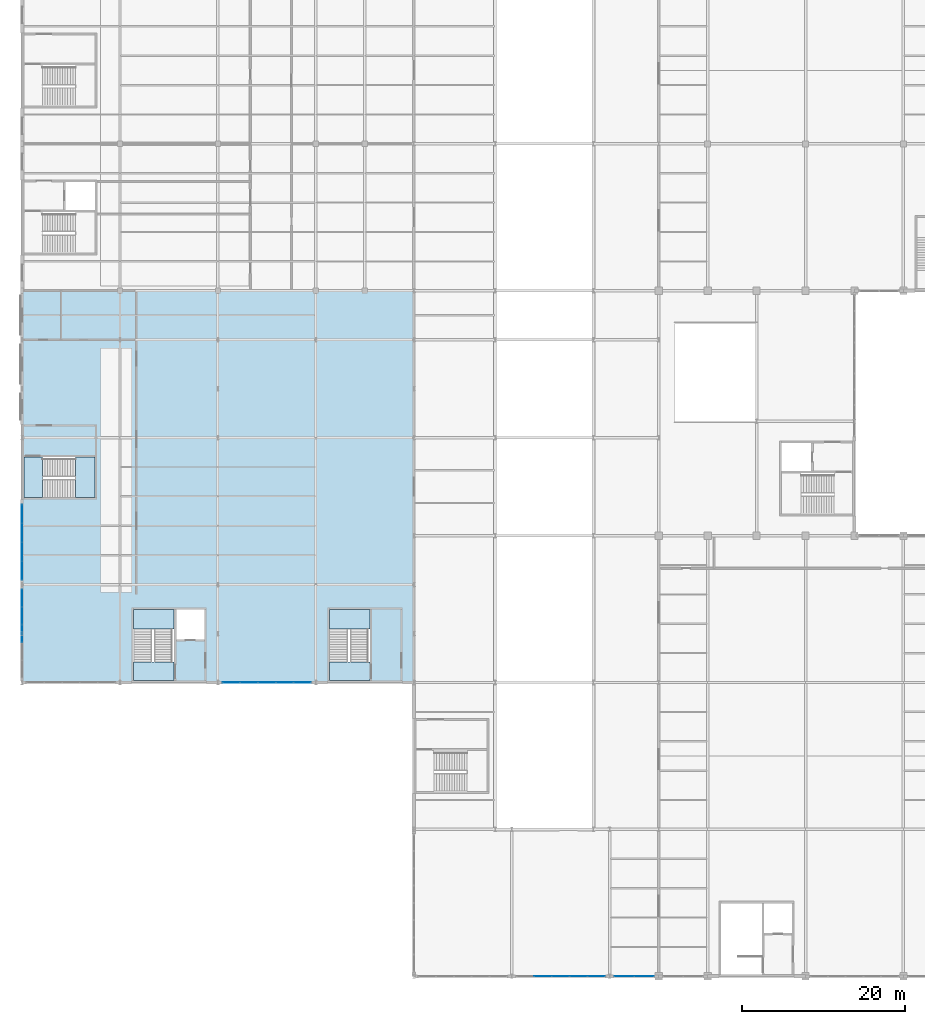
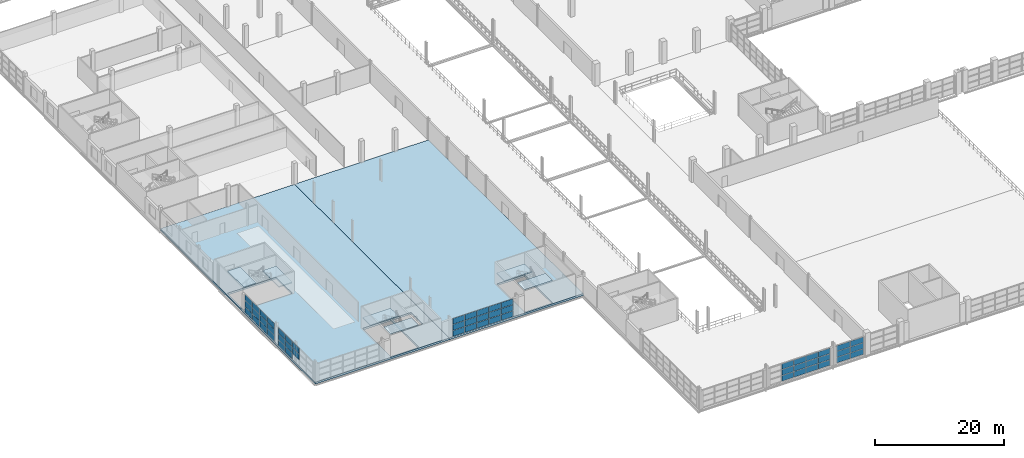
# One storey, part 126 of 158: 53 plates, 8 slabs, 8 elements without a shape of their own.
"""IFC4 building model written with IfcOpenShell, lengths in metres."""

from ifc_helpers import new_model, si_unit, direction, frame, origin, origin_2d, place, context, subcontext, project, spatial, polyline, rectangle, outline, extrude, material, layer, layer_set, type_object, element, aggregate, save


model = new_model("IFC4")

# Units and contexts
model_context = context("Model", 3, precision=1e-05, world=origin(), true_north=direction((0.0, 1.0)))
body_context = subcontext(model_context, "Body", "Model", "MODEL_VIEW")
ifc_project = project(units=[si_unit("LENGTHUNIT", "METRE"), si_unit("AREAUNIT", "SQUARE_METRE"), si_unit("VOLUMEUNIT", "CUBIC_METRE"), si_unit("PLANEANGLEUNIT", "RADIAN"), si_unit("MASSUNIT", "GRAM", prefix="KILO")], contexts=[model_context])

# Site, building, storey
site_placement = place(None, origin())
site = spatial("IfcSite", under=ifc_project, at=site_placement, CompositionType="ELEMENT")
building_placement = place(site_placement, origin())
building = spatial("IfcBuilding", under=site, at=building_placement, Name="Zilviju Railside Exhibition Hall", CompositionType="ELEMENT")
storey_placement = place(building_placement, frame((0.0, 0.0, 4.199951171875)))
storey = spatial("IfcBuildingStorey", under=building, at=storey_placement, Name="L02", CompositionType="ELEMENT", Elevation=4.199951171875)

# Curtain wall, plates
ifc_material_1 = material(Name="Thermally broken aluminium-steel triple-glazed curtain wall", Category="steel")
ifc_layer_1 = layer(ifc_material_1, 0.179931640625)
ifc_layer_set_1 = layer_set([ifc_layer_1], Name="Thermally broken aluminium-steel triple-glazed curtain wall")
curtain_wall_type_1 = type_object("IfcCurtainWallType", Name="CW-BAY-13", PredefinedType="USERDEFINED", material=ifc_layer_set_1)
curtain_wall_1_placement = place(storey_placement, origin())
curtain_wall_1 = element("IfcCurtainWall", 1, at=curtain_wall_1_placement, inside=storey, type_object=curtain_wall_type_1, Name="Winter Concourse South Upper Curtain Wall (72..78)", ObjectType="GLAZED CURTAIN WALL", PredefinedType="USERDEFINED")
ifc_material_2 = material(Name="Laminated acoustic double-glazed porch unit", Category="glass")
ifc_layer_2 = layer(ifc_material_2, 0.031982421875)
ifc_layer_set_2 = layer_set([ifc_layer_2], Name="Laminated acoustic double-glazed porch unit")
plate_type_1 = type_object("IfcPlateType", Name="CWP-IGU-32", PredefinedType="CURTAIN_PANEL", material=ifc_layer_set_2)
plate_1_placement = place(storey_placement, frame((76.2099609375, 0.0, 0.06005859375), z_axis=(0.0, 0.0, 1.0), x_axis=(-1.0, 0.0, 0.0)))
plate_1 = element("IfcPlate", 2, at=plate_1_placement, type_object=plate_type_1, Name="CW-13 panel 1.1", PredefinedType="CURTAIN_PANEL", context=body_context, shape_type="SweptSolid", body=[
    extrude(rectangle(XDim=2.360107421875, YDim=0.031982421875, at=origin_2d()), origin(), (0.0, 0.0, 1.0), 1.04296875),
])
plate_2_placement = place(storey_placement, frame((76.2099609375, 0.0, 1.1630859375), z_axis=(0.0, 0.0, 1.0), x_axis=(-1.0, 0.0, 0.0)))
plate_2 = element("IfcPlate", 3, at=plate_2_placement, type_object=plate_type_1, Name="CW-13 panel 1.2", PredefinedType="CURTAIN_PANEL", context=body_context, shape_type="SweptSolid", body=[
    extrude(rectangle(XDim=2.360107421875, YDim=0.031982421875, at=origin_2d()), origin(), (0.0, 0.0, 1.0), 1.073974609375),
])
plate_3_placement = place(storey_placement, frame((76.2099609375, 0.0, 2.297119140625), z_axis=(0.0, 0.0, 1.0), x_axis=(-1.0, 0.0, 0.0)))
plate_3 = element("IfcPlate", 4, at=plate_3_placement, type_object=plate_type_1, Name="CW-13 panel 1.3", PredefinedType="CURTAIN_PANEL", context=body_context, shape_type="SweptSolid", body=[
    extrude(rectangle(XDim=2.360107421875, YDim=0.031982421875, at=origin_2d()), origin(), (0.0, 0.0, 1.0), 1.04296875),
])
plate_4_placement = place(storey_placement, frame((73.7900390625, 0.0, 0.06005859375), z_axis=(0.0, 0.0, 1.0), x_axis=(-1.0, 0.0, 0.0)))
plate_4 = element("IfcPlate", 5, at=plate_4_placement, type_object=plate_type_1, Name="CW-13 panel 2.1", PredefinedType="CURTAIN_PANEL", context=body_context, shape_type="SweptSolid", body=[
    extrude(rectangle(XDim=2.360107421875, YDim=0.031982421875, at=origin_2d()), origin(), (0.0, 0.0, 1.0), 1.04296875),
])
plate_5_placement = place(storey_placement, frame((73.7900390625, 0.0, 1.1630859375), z_axis=(0.0, 0.0, 1.0), x_axis=(-1.0, 0.0, 0.0)))
plate_5 = element("IfcPlate", 6, at=plate_5_placement, type_object=plate_type_1, Name="CW-13 panel 2.2", PredefinedType="CURTAIN_PANEL", context=body_context, shape_type="SweptSolid", body=[
    extrude(rectangle(XDim=2.360107421875, YDim=0.031982421875, at=origin_2d()), origin(), (0.0, 0.0, 1.0), 1.073974609375),
])
plate_6_placement = place(storey_placement, frame((73.7900390625, 0.0, 2.297119140625), z_axis=(0.0, 0.0, 1.0), x_axis=(-1.0, 0.0, 0.0)))
plate_6 = element("IfcPlate", 7, at=plate_6_placement, type_object=plate_type_1, Name="CW-13 panel 2.3", PredefinedType="CURTAIN_PANEL", context=body_context, shape_type="SweptSolid", body=[
    extrude(rectangle(XDim=2.360107421875, YDim=0.031982421875, at=origin_2d()), origin(), (0.0, 0.0, 1.0), 1.04296875),
])
aggregate(curtain_wall_1, [plate_1, plate_2, plate_3, plate_4, plate_5, plate_6])

ifc_layer_3 = layer(ifc_material_1, 0.179931640625)
ifc_layer_set_3 = layer_set([ifc_layer_3], Name="Thermally broken aluminium-steel triple-glazed curtain wall")
curtain_wall_type_2 = type_object("IfcCurtainWallType", Name="CW-BAY-19", PredefinedType="USERDEFINED", material=ifc_layer_set_3)
curtain_wall_2_placement = place(storey_placement, origin())
curtain_wall_2 = element("IfcCurtainWall", 8, at=curtain_wall_2_placement, inside=storey, type_object=curtain_wall_type_2, Name="Congress Crush Foyer Boulevard Curtain Wall L02 (48..58)", ObjectType="GLAZED CURTAIN WALL", PredefinedType="USERDEFINED")
plate_7_placement = place(storey_placement, frame((0.0, 49.7275390625, 0.06005859375), z_axis=(0.0, 0.0, 1.0), x_axis=(0.0, 1.0, 0.0)))
plate_7 = element("IfcPlate", 9, at=plate_7_placement, type_object=plate_type_1, Name="CW-19 panel 1.1", PredefinedType="CURTAIN_PANEL", context=body_context, shape_type="SweptSolid", body=[
    extrude(rectangle(XDim=2.235107421875, YDim=0.031982421875, at=origin_2d()), origin(), (0.0, 0.0, 1.0), 1.076904296875),
])
plate_8_placement = place(storey_placement, frame((0.0, 49.7275390625, 1.197021484375), z_axis=(0.0, 0.0, 1.0), x_axis=(0.0, 1.0, 0.0)))
plate_8 = element("IfcPlate", 10, at=plate_8_placement, type_object=plate_type_1, Name="CW-19 panel 1.2", PredefinedType="CURTAIN_PANEL", context=body_context, shape_type="SweptSolid", body=[
    extrude(rectangle(XDim=2.235107421875, YDim=0.031982421875, at=origin_2d()), origin(), (0.0, 0.0, 1.0), 1.10595703125),
])
plate_9_placement = place(storey_placement, frame((0.0, 49.7275390625, 2.36328125), z_axis=(0.0, 0.0, 1.0), x_axis=(0.0, 1.0, 0.0)))
plate_9 = element("IfcPlate", 11, at=plate_9_placement, type_object=plate_type_1, Name="CW-19 panel 1.3", PredefinedType="CURTAIN_PANEL", context=body_context, shape_type="SweptSolid", body=[
    extrude(rectangle(XDim=2.235107421875, YDim=0.031982421875, at=origin_2d()), origin(), (0.0, 0.0, 1.0), 1.076904296875),
])
plate_10_placement = place(storey_placement, frame((0.0, 52.03759765625, 0.06005859375), z_axis=(0.0, 0.0, 1.0), x_axis=(0.0, 1.0, 0.0)))
plate_10 = element("IfcPlate", 12, at=plate_10_placement, type_object=plate_type_1, Name="CW-19 panel 2.1", PredefinedType="CURTAIN_PANEL", context=body_context, shape_type="SweptSolid", body=[
    extrude(rectangle(XDim=2.264892578125, YDim=0.031982421875, at=origin_2d()), origin(), (0.0, 0.0, 1.0), 1.076904296875),
])
plate_11_placement = place(storey_placement, frame((0.0, 52.03759765625, 1.197021484375), z_axis=(0.0, 0.0, 1.0), x_axis=(0.0, 1.0, 0.0)))
plate_11 = element("IfcPlate", 13, at=plate_11_placement, type_object=plate_type_1, Name="CW-19 panel 2.2", PredefinedType="CURTAIN_PANEL", context=body_context, shape_type="SweptSolid", body=[
    extrude(rectangle(XDim=2.264892578125, YDim=0.031982421875, at=origin_2d()), origin(), (0.0, 0.0, 1.0), 1.10595703125),
])
plate_12_placement = place(storey_placement, frame((0.0, 52.03759765625, 2.36328125), z_axis=(0.0, 0.0, 1.0), x_axis=(0.0, 1.0, 0.0)))
plate_12 = element("IfcPlate", 14, at=plate_12_placement, type_object=plate_type_1, Name="CW-19 panel 2.3", PredefinedType="CURTAIN_PANEL", context=body_context, shape_type="SweptSolid", body=[
    extrude(rectangle(XDim=2.264892578125, YDim=0.031982421875, at=origin_2d()), origin(), (0.0, 0.0, 1.0), 1.076904296875),
])
plate_13_placement = place(storey_placement, frame((0.0, 54.362548828125, 0.06005859375), z_axis=(0.0, 0.0, 1.0), x_axis=(0.0, 1.0, 0.0)))
plate_13 = element("IfcPlate", 15, at=plate_13_placement, type_object=plate_type_1, Name="CW-19 panel 3.1", PredefinedType="CURTAIN_PANEL", context=body_context, shape_type="SweptSolid", body=[
    extrude(rectangle(XDim=2.264892578125, YDim=0.031982421875, at=origin_2d()), origin(), (0.0, 0.0, 1.0), 1.076904296875),
])
plate_14_placement = place(storey_placement, frame((0.0, 54.362548828125, 1.197021484375), z_axis=(0.0, 0.0, 1.0), x_axis=(0.0, 1.0, 0.0)))
plate_14 = element("IfcPlate", 16, at=plate_14_placement, type_object=plate_type_1, Name="CW-19 panel 3.2", PredefinedType="CURTAIN_PANEL", context=body_context, shape_type="SweptSolid", body=[
    extrude(rectangle(XDim=2.264892578125, YDim=0.031982421875, at=origin_2d()), origin(), (0.0, 0.0, 1.0), 1.10595703125),
])
plate_15_placement = place(storey_placement, frame((0.0, 54.362548828125, 2.36328125), z_axis=(0.0, 0.0, 1.0), x_axis=(0.0, 1.0, 0.0)))
plate_15 = element("IfcPlate", 17, at=plate_15_placement, type_object=plate_type_1, Name="CW-19 panel 3.3", PredefinedType="CURTAIN_PANEL", context=body_context, shape_type="SweptSolid", body=[
    extrude(rectangle(XDim=2.264892578125, YDim=0.031982421875, at=origin_2d()), origin(), (0.0, 0.0, 1.0), 1.076904296875),
])
plate_16_placement = place(storey_placement, frame((0.0, 56.672607421875, 0.06005859375), z_axis=(0.0, 0.0, 1.0), x_axis=(0.0, 1.0, 0.0)))
plate_16 = element("IfcPlate", 18, at=plate_16_placement, type_object=plate_type_1, Name="CW-19 panel 4.1", PredefinedType="CURTAIN_PANEL", context=body_context, shape_type="SweptSolid", body=[
    extrude(rectangle(XDim=2.235107421875, YDim=0.031982421875, at=origin_2d()), origin(), (0.0, 0.0, 1.0), 1.076904296875),
])
plate_17_placement = place(storey_placement, frame((0.0, 56.672607421875, 1.197021484375), z_axis=(0.0, 0.0, 1.0), x_axis=(0.0, 1.0, 0.0)))
plate_17 = element("IfcPlate", 19, at=plate_17_placement, type_object=plate_type_1, Name="CW-19 panel 4.2", PredefinedType="CURTAIN_PANEL", context=body_context, shape_type="SweptSolid", body=[
    extrude(rectangle(XDim=2.235107421875, YDim=0.031982421875, at=origin_2d()), origin(), (0.0, 0.0, 1.0), 1.10595703125),
])
plate_18_placement = place(storey_placement, frame((0.0, 56.672607421875, 2.36328125), z_axis=(0.0, 0.0, 1.0), x_axis=(0.0, 1.0, 0.0)))
plate_18 = element("IfcPlate", 20, at=plate_18_placement, type_object=plate_type_1, Name="CW-19 panel 4.3", PredefinedType="CURTAIN_PANEL", context=body_context, shape_type="SweptSolid", body=[
    extrude(rectangle(XDim=2.235107421875, YDim=0.031982421875, at=origin_2d()), origin(), (0.0, 0.0, 1.0), 1.076904296875),
])
aggregate(curtain_wall_2, [plate_7, plate_8, plate_9, plate_10, plate_11, plate_12, plate_13, plate_14, plate_15, plate_16, plate_17, plate_18])

ifc_layer_4 = layer(ifc_material_1, 0.179931640625)
ifc_layer_set_4 = layer_set([ifc_layer_4], Name="Thermally broken aluminium-steel triple-glazed curtain wall")
curtain_wall_type_3 = type_object("IfcCurtainWallType", Name="CW-BAY-12", PredefinedType="USERDEFINED", material=ifc_layer_set_4)
curtain_wall_3_placement = place(storey_placement, origin())
curtain_wall_3 = element("IfcCurtainWall", 21, at=curtain_wall_3_placement, inside=storey, type_object=curtain_wall_type_3, Name="Winter Concourse South Upper Curtain Wall (60..72)", ObjectType="GLAZED CURTAIN WALL", PredefinedType="USERDEFINED")
ifc_material_3 = material(Name="Triple-glazed solar-control glass unit", Category="glass")
ifc_layer_5 = layer(ifc_material_3, 0.0380859375)
ifc_layer_set_5 = layer_set([ifc_layer_5], Name="Triple-glazed solar-control glass unit")
plate_type_2 = type_object("IfcPlateType", Name="CWP-IGU-38", PredefinedType="CURTAIN_PANEL", material=ifc_layer_set_5)
plate_19_placement = place(storey_placement, frame((70.34375, 0.0, 0.06494140625), z_axis=(0.0, 0.0, 1.0), x_axis=(-1.0, 0.0, 0.0)))
plate_19 = element("IfcPlate", 22, at=plate_19_placement, type_object=plate_type_2, Name="CW-12 panel 1.1", PredefinedType="CURTAIN_PANEL", context=body_context, shape_type="SweptSolid", body=[
    extrude(rectangle(XDim=2.08251953125, YDim=0.0380859375, at=origin_2d()), origin(), (0.0, 0.0, 1.0), 1.035400390625),
])
plate_20_placement = place(storey_placement, frame((70.34375, 0.0, 1.16552734375), z_axis=(0.0, 0.0, 1.0), x_axis=(-1.0, 0.0, 0.0)))
plate_20 = element("IfcPlate", 23, at=plate_20_placement, type_object=plate_type_2, Name="CW-12 panel 1.2", PredefinedType="CURTAIN_PANEL", context=body_context, shape_type="SweptSolid", body=[
    extrude(rectangle(XDim=2.08251953125, YDim=0.0380859375, at=origin_2d()), origin(), (0.0, 0.0, 1.0), 1.069091796875),
])
plate_21_placement = place(storey_placement, frame((70.34375, 0.0, 2.2998046875), z_axis=(0.0, 0.0, 1.0), x_axis=(-1.0, 0.0, 0.0)))
plate_21 = element("IfcPlate", 24, at=plate_21_placement, type_object=plate_type_2, Name="CW-12 panel 1.3", PredefinedType="CURTAIN_PANEL", context=body_context, shape_type="SweptSolid", body=[
    extrude(rectangle(XDim=2.08251953125, YDim=0.0380859375, at=origin_2d()), origin(), (0.0, 0.0, 1.0), 1.035400390625),
])
plate_22_placement = place(storey_placement, frame((68.179931640625, 0.0, 0.06494140625), z_axis=(0.0, 0.0, 1.0), x_axis=(-1.0, 0.0, 0.0)))
plate_22 = element("IfcPlate", 25, at=plate_22_placement, type_object=plate_type_2, Name="CW-12 panel 2.1", PredefinedType="CURTAIN_PANEL", context=body_context, shape_type="SweptSolid", body=[
    extrude(rectangle(XDim=2.114990234375, YDim=0.0380859375, at=origin_2d()), origin(), (0.0, 0.0, 1.0), 1.035400390625),
])
plate_23_placement = place(storey_placement, frame((68.179931640625, 0.0, 1.16552734375), z_axis=(0.0, 0.0, 1.0), x_axis=(-1.0, 0.0, 0.0)))
plate_23 = element("IfcPlate", 26, at=plate_23_placement, type_object=plate_type_2, Name="CW-12 panel 2.2", PredefinedType="CURTAIN_PANEL", context=body_context, shape_type="SweptSolid", body=[
    extrude(rectangle(XDim=2.114990234375, YDim=0.0380859375, at=origin_2d()), origin(), (0.0, 0.0, 1.0), 1.069091796875),
])
plate_24_placement = place(storey_placement, frame((68.179931640625, 0.0, 2.2998046875), z_axis=(0.0, 0.0, 1.0), x_axis=(-1.0, 0.0, 0.0)))
plate_24 = element("IfcPlate", 27, at=plate_24_placement, type_object=plate_type_2, Name="CW-12 panel 2.3", PredefinedType="CURTAIN_PANEL", context=body_context, shape_type="SweptSolid", body=[
    extrude(rectangle(XDim=2.114990234375, YDim=0.0380859375, at=origin_2d()), origin(), (0.0, 0.0, 1.0), 1.035400390625),
])
plate_25_placement = place(storey_placement, frame((66.0, 0.0, 0.06494140625), z_axis=(0.0, 0.0, 1.0), x_axis=(-1.0, 0.0, 0.0)))
plate_25 = element("IfcPlate", 28, at=plate_25_placement, type_object=plate_type_2, Name="CW-12 panel 3.1", PredefinedType="CURTAIN_PANEL", context=body_context, shape_type="SweptSolid", body=[
    extrude(rectangle(XDim=2.114990234375, YDim=0.0380859375, at=origin_2d()), origin(), (0.0, 0.0, 1.0), 1.035400390625),
])
plate_26_placement = place(storey_placement, frame((66.0, 0.0, 1.16552734375), z_axis=(0.0, 0.0, 1.0), x_axis=(-1.0, 0.0, 0.0)))
plate_26 = element("IfcPlate", 29, at=plate_26_placement, type_object=plate_type_2, Name="CW-12 panel 3.2", PredefinedType="CURTAIN_PANEL", context=body_context, shape_type="SweptSolid", body=[
    extrude(rectangle(XDim=2.114990234375, YDim=0.0380859375, at=origin_2d()), origin(), (0.0, 0.0, 1.0), 1.069091796875),
])
plate_27_placement = place(storey_placement, frame((66.0, 0.0, 2.2998046875), z_axis=(0.0, 0.0, 1.0), x_axis=(-1.0, 0.0, 0.0)))
plate_27 = element("IfcPlate", 30, at=plate_27_placement, type_object=plate_type_2, Name="CW-12 panel 3.3", PredefinedType="CURTAIN_PANEL", context=body_context, shape_type="SweptSolid", body=[
    extrude(rectangle(XDim=2.114990234375, YDim=0.0380859375, at=origin_2d()), origin(), (0.0, 0.0, 1.0), 1.035400390625),
])
plate_28_placement = place(storey_placement, frame((63.820068359375, 0.0, 0.06494140625), z_axis=(0.0, 0.0, 1.0), x_axis=(-1.0, 0.0, 0.0)))
plate_28 = element("IfcPlate", 31, at=plate_28_placement, type_object=plate_type_2, Name="CW-12 panel 4.1", PredefinedType="CURTAIN_PANEL", context=body_context, shape_type="SweptSolid", body=[
    extrude(rectangle(XDim=2.114990234375, YDim=0.0380859375, at=origin_2d()), origin(), (0.0, 0.0, 1.0), 1.035400390625),
])
plate_29_placement = place(storey_placement, frame((63.820068359375, 0.0, 1.16552734375), z_axis=(0.0, 0.0, 1.0), x_axis=(-1.0, 0.0, 0.0)))
plate_29 = element("IfcPlate", 32, at=plate_29_placement, type_object=plate_type_2, Name="CW-12 panel 4.2", PredefinedType="CURTAIN_PANEL", context=body_context, shape_type="SweptSolid", body=[
    extrude(rectangle(XDim=2.114990234375, YDim=0.0380859375, at=origin_2d()), origin(), (0.0, 0.0, 1.0), 1.069091796875),
])
plate_30_placement = place(storey_placement, frame((63.820068359375, 0.0, 2.2998046875), z_axis=(0.0, 0.0, 1.0), x_axis=(-1.0, 0.0, 0.0)))
plate_30 = element("IfcPlate", 33, at=plate_30_placement, type_object=plate_type_2, Name="CW-12 panel 4.3", PredefinedType="CURTAIN_PANEL", context=body_context, shape_type="SweptSolid", body=[
    extrude(rectangle(XDim=2.114990234375, YDim=0.0380859375, at=origin_2d()), origin(), (0.0, 0.0, 1.0), 1.035400390625),
])
aggregate(curtain_wall_3, [plate_19, plate_20, plate_21, plate_22, plate_23, plate_24, plate_25, plate_26, plate_27, plate_28, plate_29, plate_30])

ifc_layer_6 = layer(ifc_material_1, 0.179931640625)
ifc_layer_set_6 = layer_set([ifc_layer_6], Name="Thermally broken aluminium-steel triple-glazed curtain wall")
curtain_wall_type_4 = type_object("IfcCurtainWallType", Name="CW-BAY-18", PredefinedType="USERDEFINED", material=ifc_layer_set_6)
curtain_wall_4_placement = place(storey_placement, origin())
curtain_wall_4 = element("IfcCurtainWall", 34, at=curtain_wall_4_placement, inside=storey, type_object=curtain_wall_type_4, Name="Congress Crush Foyer Boulevard Curtain Wall L02 (36..48)", ObjectType="GLAZED CURTAIN WALL", PredefinedType="USERDEFINED")
plate_31_placement = place(storey_placement, frame((0.0, 42.0, 1.199462890625), z_axis=(0.0, 0.0, 1.0), x_axis=(0.0, 1.0, 0.0)))
plate_31 = element("IfcPlate", 35, at=plate_31_placement, type_object=plate_type_2, Name="CW-18 panel 3.2", PredefinedType="CURTAIN_PANEL", context=body_context, shape_type="SweptSolid", body=[
    extrude(rectangle(XDim=2.114990234375, YDim=0.0380859375, at=origin_2d()), origin(), (0.0, 0.0, 1.0), 1.10107421875),
])
plate_32_placement = place(storey_placement, frame((0.0, 42.0, 2.36572265625), z_axis=(0.0, 0.0, 1.0), x_axis=(0.0, 1.0, 0.0)))
plate_32 = element("IfcPlate", 36, at=plate_32_placement, type_object=plate_type_2, Name="CW-18 panel 3.3", PredefinedType="CURTAIN_PANEL", context=body_context, shape_type="SweptSolid", body=[
    extrude(rectangle(XDim=2.114990234375, YDim=0.0380859375, at=origin_2d()), origin(), (0.0, 0.0, 1.0), 1.069580078125),
])
plate_33_placement = place(storey_placement, frame((0.0, 44.179931640625, 0.06494140625), z_axis=(0.0, 0.0, 1.0), x_axis=(0.0, 1.0, 0.0)))
plate_33 = element("IfcPlate", 37, at=plate_33_placement, type_object=plate_type_2, Name="CW-18 panel 4.1", PredefinedType="CURTAIN_PANEL", context=body_context, shape_type="SweptSolid", body=[
    extrude(rectangle(XDim=2.114990234375, YDim=0.0380859375, at=origin_2d()), origin(), (0.0, 0.0, 1.0), 1.069580078125),
])
plate_34_placement = place(storey_placement, frame((0.0, 44.179931640625, 1.199462890625), z_axis=(0.0, 0.0, 1.0), x_axis=(0.0, 1.0, 0.0)))
plate_34 = element("IfcPlate", 38, at=plate_34_placement, type_object=plate_type_2, Name="CW-18 panel 4.2", PredefinedType="CURTAIN_PANEL", context=body_context, shape_type="SweptSolid", body=[
    extrude(rectangle(XDim=2.114990234375, YDim=0.0380859375, at=origin_2d()), origin(), (0.0, 0.0, 1.0), 1.10107421875),
])
plate_35_placement = place(storey_placement, frame((0.0, 44.179931640625, 2.36572265625), z_axis=(0.0, 0.0, 1.0), x_axis=(0.0, 1.0, 0.0)))
plate_35 = element("IfcPlate", 39, at=plate_35_placement, type_object=plate_type_2, Name="CW-18 panel 4.3", PredefinedType="CURTAIN_PANEL", context=body_context, shape_type="SweptSolid", body=[
    extrude(rectangle(XDim=2.114990234375, YDim=0.0380859375, at=origin_2d()), origin(), (0.0, 0.0, 1.0), 1.069580078125),
])
plate_36_placement = place(storey_placement, frame((0.0, 46.34375, 0.06494140625), z_axis=(0.0, 0.0, 1.0), x_axis=(0.0, 1.0, 0.0)))
plate_36 = element("IfcPlate", 40, at=plate_36_placement, type_object=plate_type_2, Name="CW-18 panel 5.1", PredefinedType="CURTAIN_PANEL", context=body_context, shape_type="SweptSolid", body=[
    extrude(rectangle(XDim=2.08251953125, YDim=0.0380859375, at=origin_2d()), origin(), (0.0, 0.0, 1.0), 1.069580078125),
])
plate_37_placement = place(storey_placement, frame((0.0, 46.34375, 1.199462890625), z_axis=(0.0, 0.0, 1.0), x_axis=(0.0, 1.0, 0.0)))
plate_37 = element("IfcPlate", 41, at=plate_37_placement, type_object=plate_type_2, Name="CW-18 panel 5.2", PredefinedType="CURTAIN_PANEL", context=body_context, shape_type="SweptSolid", body=[
    extrude(rectangle(XDim=2.08251953125, YDim=0.0380859375, at=origin_2d()), origin(), (0.0, 0.0, 1.0), 1.10107421875),
])
plate_38_placement = place(storey_placement, frame((0.0, 46.34375, 2.36572265625), z_axis=(0.0, 0.0, 1.0), x_axis=(0.0, 1.0, 0.0)))
plate_38 = element("IfcPlate", 42, at=plate_38_placement, type_object=plate_type_2, Name="CW-18 panel 5.3", PredefinedType="CURTAIN_PANEL", context=body_context, shape_type="SweptSolid", body=[
    extrude(rectangle(XDim=2.08251953125, YDim=0.0380859375, at=origin_2d()), origin(), (0.0, 0.0, 1.0), 1.069580078125),
])
aggregate(curtain_wall_4, [plate_31, plate_32, plate_33, plate_34, plate_35, plate_36, plate_37, plate_38])

ifc_layer_7 = layer(ifc_material_1, 0.179931640625)
ifc_layer_set_7 = layer_set([ifc_layer_7], Name="Thermally broken aluminium-steel triple-glazed curtain wall")
curtain_wall_type_5 = type_object("IfcCurtainWallType", Name="CW-BAY-17", PredefinedType="USERDEFINED", material=ifc_layer_set_7)
curtain_wall_5_placement = place(storey_placement, origin())
curtain_wall_5 = element("IfcCurtainWall", 43, at=curtain_wall_5_placement, inside=storey, type_object=curtain_wall_type_5, Name="Congress Forecourt Curtain Wall L02 (24..36)", ObjectType="GLAZED CURTAIN WALL", PredefinedType="USERDEFINED")
ifc_material_4 = material(Name="Triple-glazed low-E argon insulating glass unit", Category="glass")
ifc_layer_8 = layer(ifc_material_4, 0.0439453125)
ifc_layer_set_8 = layer_set([ifc_layer_8], Name="Triple-glazed low-E argon insulating glass unit")
plate_type_3 = type_object("IfcPlateType", Name="CWP-IGU-44", PredefinedType="CURTAIN_PANEL", material=ifc_layer_set_8)
plate_39_placement = place(storey_placement, frame((34.342529296875, 36.0, 0.06982421875), z_axis=(0.0, 0.0, 1.0), x_axis=(-1.0, 0.0, 0.0)))
plate_39 = element("IfcPlate", 44, at=plate_39_placement, type_object=plate_type_3, Name="CW-17 panel 1.1", PredefinedType="CURTAIN_PANEL", context=body_context, shape_type="SweptSolid", body=[
    extrude(rectangle(XDim=2.074951171875, YDim=0.0439453125, at=origin_2d()), origin(), (0.0, 0.0, 1.0), 1.068115234375),
])
plate_40_placement = place(storey_placement, frame((34.342529296875, 36.0, 1.2080078125), z_axis=(0.0, 0.0, 1.0), x_axis=(-1.0, 0.0, 0.0)))
plate_40 = element("IfcPlate", 45, at=plate_40_placement, type_object=plate_type_3, Name="CW-17 panel 1.2", PredefinedType="CURTAIN_PANEL", context=body_context, shape_type="SweptSolid", body=[
    extrude(rectangle(XDim=2.074951171875, YDim=0.0439453125, at=origin_2d()), origin(), (0.0, 0.0, 1.0), 1.10400390625),
])
plate_41_placement = place(storey_placement, frame((34.342529296875, 36.0, 2.3818359375), z_axis=(0.0, 0.0, 1.0), x_axis=(-1.0, 0.0, 0.0)))
plate_41 = element("IfcPlate", 46, at=plate_41_placement, type_object=plate_type_3, Name="CW-17 panel 1.3", PredefinedType="CURTAIN_PANEL", context=body_context, shape_type="SweptSolid", body=[
    extrude(rectangle(XDim=2.074951171875, YDim=0.0439453125, at=origin_2d()), origin(), (0.0, 0.0, 1.0), 1.068115234375),
])
plate_42_placement = place(storey_placement, frame((32.179931640625, 36.0, 0.06982421875), z_axis=(0.0, 0.0, 1.0), x_axis=(-1.0, 0.0, 0.0)))
plate_42 = element("IfcPlate", 47, at=plate_42_placement, type_object=plate_type_3, Name="CW-17 panel 2.1", PredefinedType="CURTAIN_PANEL", context=body_context, shape_type="SweptSolid", body=[
    extrude(rectangle(XDim=2.110107421875, YDim=0.0439453125, at=origin_2d()), origin(), (0.0, 0.0, 1.0), 1.068115234375),
])
plate_43_placement = place(storey_placement, frame((32.179931640625, 36.0, 1.2080078125), z_axis=(0.0, 0.0, 1.0), x_axis=(-1.0, 0.0, 0.0)))
plate_43 = element("IfcPlate", 48, at=plate_43_placement, type_object=plate_type_3, Name="CW-17 panel 2.2", PredefinedType="CURTAIN_PANEL", context=body_context, shape_type="SweptSolid", body=[
    extrude(rectangle(XDim=2.110107421875, YDim=0.0439453125, at=origin_2d()), origin(), (0.0, 0.0, 1.0), 1.10400390625),
])
plate_44_placement = place(storey_placement, frame((32.179931640625, 36.0, 2.3818359375), z_axis=(0.0, 0.0, 1.0), x_axis=(-1.0, 0.0, 0.0)))
plate_44 = element("IfcPlate", 49, at=plate_44_placement, type_object=plate_type_3, Name="CW-17 panel 2.3", PredefinedType="CURTAIN_PANEL", context=body_context, shape_type="SweptSolid", body=[
    extrude(rectangle(XDim=2.110107421875, YDim=0.0439453125, at=origin_2d()), origin(), (0.0, 0.0, 1.0), 1.068115234375),
])
plate_45_placement = place(storey_placement, frame((30.0, 36.0, 0.06982421875), z_axis=(0.0, 0.0, 1.0), x_axis=(-1.0, 0.0, 0.0)))
plate_45 = element("IfcPlate", 50, at=plate_45_placement, type_object=plate_type_3, Name="CW-17 panel 3.1", PredefinedType="CURTAIN_PANEL", context=body_context, shape_type="SweptSolid", body=[
    extrude(rectangle(XDim=2.110107421875, YDim=0.0439453125, at=origin_2d()), origin(), (0.0, 0.0, 1.0), 1.068115234375),
])
plate_46_placement = place(storey_placement, frame((30.0, 36.0, 1.2080078125), z_axis=(0.0, 0.0, 1.0), x_axis=(-1.0, 0.0, 0.0)))
plate_46 = element("IfcPlate", 51, at=plate_46_placement, type_object=plate_type_3, Name="CW-17 panel 3.2", PredefinedType="CURTAIN_PANEL", context=body_context, shape_type="SweptSolid", body=[
    extrude(rectangle(XDim=2.110107421875, YDim=0.0439453125, at=origin_2d()), origin(), (0.0, 0.0, 1.0), 1.10400390625),
])
plate_47_placement = place(storey_placement, frame((30.0, 36.0, 2.3818359375), z_axis=(0.0, 0.0, 1.0), x_axis=(-1.0, 0.0, 0.0)))
plate_47 = element("IfcPlate", 52, at=plate_47_placement, type_object=plate_type_3, Name="CW-17 panel 3.3", PredefinedType="CURTAIN_PANEL", context=body_context, shape_type="SweptSolid", body=[
    extrude(rectangle(XDim=2.110107421875, YDim=0.0439453125, at=origin_2d()), origin(), (0.0, 0.0, 1.0), 1.068115234375),
])
plate_48_placement = place(storey_placement, frame((27.820068359375, 36.0, 0.06982421875), z_axis=(0.0, 0.0, 1.0), x_axis=(-1.0, 0.0, 0.0)))
plate_48 = element("IfcPlate", 53, at=plate_48_placement, type_object=plate_type_3, Name="CW-17 panel 4.1", PredefinedType="CURTAIN_PANEL", context=body_context, shape_type="SweptSolid", body=[
    extrude(rectangle(XDim=2.110107421875, YDim=0.0439453125, at=origin_2d()), origin(), (0.0, 0.0, 1.0), 1.068115234375),
])
plate_49_placement = place(storey_placement, frame((27.820068359375, 36.0, 1.2080078125), z_axis=(0.0, 0.0, 1.0), x_axis=(-1.0, 0.0, 0.0)))
plate_49 = element("IfcPlate", 54, at=plate_49_placement, type_object=plate_type_3, Name="CW-17 panel 4.2", PredefinedType="CURTAIN_PANEL", context=body_context, shape_type="SweptSolid", body=[
    extrude(rectangle(XDim=2.110107421875, YDim=0.0439453125, at=origin_2d()), origin(), (0.0, 0.0, 1.0), 1.10400390625),
])
plate_50_placement = place(storey_placement, frame((27.820068359375, 36.0, 2.3818359375), z_axis=(0.0, 0.0, 1.0), x_axis=(-1.0, 0.0, 0.0)))
plate_50 = element("IfcPlate", 55, at=plate_50_placement, type_object=plate_type_3, Name="CW-17 panel 4.3", PredefinedType="CURTAIN_PANEL", context=body_context, shape_type="SweptSolid", body=[
    extrude(rectangle(XDim=2.110107421875, YDim=0.0439453125, at=origin_2d()), origin(), (0.0, 0.0, 1.0), 1.068115234375),
])
plate_51_placement = place(storey_placement, frame((25.657470703125, 36.0, 0.06982421875), z_axis=(0.0, 0.0, 1.0), x_axis=(-1.0, 0.0, 0.0)))
plate_51 = element("IfcPlate", 56, at=plate_51_placement, type_object=plate_type_3, Name="CW-17 panel 5.1", PredefinedType="CURTAIN_PANEL", context=body_context, shape_type="SweptSolid", body=[
    extrude(rectangle(XDim=2.074951171875, YDim=0.0439453125, at=origin_2d()), origin(), (0.0, 0.0, 1.0), 1.068115234375),
])
plate_52_placement = place(storey_placement, frame((25.657470703125, 36.0, 1.2080078125), z_axis=(0.0, 0.0, 1.0), x_axis=(-1.0, 0.0, 0.0)))
plate_52 = element("IfcPlate", 57, at=plate_52_placement, type_object=plate_type_3, Name="CW-17 panel 5.2", PredefinedType="CURTAIN_PANEL", context=body_context, shape_type="SweptSolid", body=[
    extrude(rectangle(XDim=2.074951171875, YDim=0.0439453125, at=origin_2d()), origin(), (0.0, 0.0, 1.0), 1.10400390625),
])
plate_53_placement = place(storey_placement, frame((25.657470703125, 36.0, 2.3818359375), z_axis=(0.0, 0.0, 1.0), x_axis=(-1.0, 0.0, 0.0)))
plate_53 = element("IfcPlate", 58, at=plate_53_placement, type_object=plate_type_3, Name="CW-17 panel 5.3", PredefinedType="CURTAIN_PANEL", context=body_context, shape_type="SweptSolid", body=[
    extrude(rectangle(XDim=2.074951171875, YDim=0.0439453125, at=origin_2d()), origin(), (0.0, 0.0, 1.0), 1.068115234375),
])
aggregate(curtain_wall_5, [plate_39, plate_40, plate_41, plate_42, plate_43, plate_44, plate_45, plate_46, plate_47, plate_48, plate_49, plate_50, plate_51, plate_52, plate_53])

# Slabs
ifc_material_5 = material(Name="Concrete C35/45", Category="concrete")
ifc_layer_9 = layer(ifc_material_5, 0.360107421875)
ifc_layer_set_9 = layer_set([ifc_layer_9], Name="Concrete C35/45")
slab_type_1 = type_object("IfcSlabType", Name="SL-FLR-360", PredefinedType="FLOOR", material=ifc_layer_set_9)
slab_1_placement = place(storey_placement, frame((0.0, 0.0, -0.35986328125)))
element("IfcSlab", 59, at=slab_1_placement, inside=storey, type_object=slab_type_1, Name="Congress L02 Crush Foyer & Rear Tier Slab", PredefinedType="FLOOR", context=body_context, shape_type="SweptSolid", body=[
    extrude(outline(polyline([(0.0, 36.0), (24.0, 36.0), (24.0, 84.0), (0.0, 84.0), (0.0, 36.0)]), holes=[polyline([(13.64990234375, 36.25), (18.64990234375, 36.25), (18.64990234375, 44.949951171875), (13.64990234375, 44.949951171875), (13.64990234375, 36.25)]), polyline([(18.89990234375, 41.300048828125), (22.35009765625, 41.300048828125), (22.35009765625, 44.949951171875), (18.89990234375, 44.949951171875), (18.89990234375, 41.300048828125)]), polyline([(0.25, 58.64990234375), (8.949951171875, 58.64990234375), (8.949951171875, 63.64990234375), (0.25, 63.64990234375), (0.25, 58.64990234375)])]), origin(), (0.0, 0.0, 1.0), 0.35986328125),
])
slab_2_placement = place(storey_placement, frame((0.0, 0.0, -0.35986328125)))
element("IfcSlab", 60, at=slab_2_placement, inside=storey, type_object=slab_type_1, Name="Congress L02 Plenary Auditorium Slab", PredefinedType="FLOOR", context=body_context, shape_type="SweptSolid", body=[
    extrude(outline(polyline([(24.0, 36.0), (48.0, 36.0), (48.0, 84.0), (24.0, 84.0), (24.0, 36.0)]), holes=[polyline([(37.64990234375, 36.25), (42.64990234375, 36.25), (42.64990234375, 44.949951171875), (37.64990234375, 44.949951171875), (37.64990234375, 36.25)])]), origin(), (0.0, 0.0, 1.0), 0.35986328125),
])

# Stair, slabs
stair_type_1 = type_object("IfcStairType", Name="STAIR-ST-C", PredefinedType="HALF_TURN_STAIR", material=ifc_material_5)
stair_1_placement = place(storey_placement, origin())
stair_1 = element("IfcStair", 61, at=stair_1_placement, inside=storey, type_object=stair_type_1, Name="Core C12 Congress Plenary SouthW Exit Stair L02", PredefinedType="HALF_TURN_STAIR")
ifc_layer_10 = layer(ifc_material_5, 0.199951171875)
ifc_layer_set_10 = layer_set([ifc_layer_10], Name="Concrete C35/45")
slab_type_2 = type_object("IfcSlabType", Name="SL-LAND-200", PredefinedType="LANDING", material=ifc_layer_set_10)
slab_3_placement = place(storey_placement, frame((0.0, 0.0, 1.900146484375)))
slab_3 = element("IfcSlab", 62, at=slab_3_placement, type_object=slab_type_2, Name="ST-12 landing 1", PredefinedType="LANDING", context=body_context, shape_type="SweptSolid", body=[
    extrude(outline(polyline([(13.64990234375, 42.530029296875), (18.64990234375, 42.530029296875), (18.64990234375, 44.949951171875), (13.64990234375, 44.949951171875), (13.64990234375, 42.530029296875)])), origin(), (0.0, 0.0, 1.0), 0.199951171875),
])
slab_4_placement = place(storey_placement, frame((0.0, 0.0, 4.0)))
slab_4 = element("IfcSlab", 63, at=slab_4_placement, type_object=slab_type_2, Name="ST-12 landing 2", PredefinedType="LANDING", context=body_context, shape_type="SweptSolid", body=[
    extrude(outline(polyline([(13.64990234375, 36.25), (18.64990234375, 36.25), (18.64990234375, 38.5), (13.64990234375, 38.5), (13.64990234375, 36.25)])), origin(), (0.0, 0.0, 1.0), 0.199951171875),
])
aggregate(stair_1, [slab_3, slab_4])

stair_type_2 = type_object("IfcStairType", Name="STAIR-ST-A", PredefinedType="HALF_TURN_STAIR", material=ifc_material_5)
stair_2_placement = place(storey_placement, origin())
stair_2 = element("IfcStair", 64, at=stair_2_placement, inside=storey, type_object=stair_type_2, Name="Core C13 Congress Plenary SouthE Exit Stair L02", PredefinedType="HALF_TURN_STAIR")
slab_5_placement = place(storey_placement, frame((0.0, 0.0, 1.900146484375)))
slab_5 = element("IfcSlab", 65, at=slab_5_placement, type_object=slab_type_2, Name="ST-13 landing 1", PredefinedType="LANDING", context=body_context, shape_type="SweptSolid", body=[
    extrude(outline(polyline([(37.64990234375, 42.530029296875), (42.64990234375, 42.530029296875), (42.64990234375, 44.949951171875), (37.64990234375, 44.949951171875), (37.64990234375, 42.530029296875)])), origin(), (0.0, 0.0, 1.0), 0.199951171875),
])
slab_6_placement = place(storey_placement, frame((0.0, 0.0, 4.0)))
slab_6 = element("IfcSlab", 66, at=slab_6_placement, type_object=slab_type_2, Name="ST-13 landing 2", PredefinedType="LANDING", context=body_context, shape_type="SweptSolid", body=[
    extrude(outline(polyline([(37.64990234375, 36.25), (42.64990234375, 36.25), (42.64990234375, 38.5), (37.64990234375, 38.5), (37.64990234375, 36.25)])), origin(), (0.0, 0.0, 1.0), 0.199951171875),
])
aggregate(stair_2, [slab_5, slab_6])

stair_type_3 = type_object("IfcStairType", Name="STAIR-ST-B", PredefinedType="HALF_TURN_STAIR", material=ifc_material_5)
stair_3_placement = place(storey_placement, origin())
stair_3 = element("IfcStair", 67, at=stair_3_placement, inside=storey, type_object=stair_type_3, Name="Core C14 Congress Plenary West Exit Stair L02", PredefinedType="HALF_TURN_STAIR")
slab_7_placement = place(storey_placement, frame((0.0, 0.0, 1.900146484375)))
slab_7 = element("IfcSlab", 68, at=slab_7_placement, type_object=slab_type_2, Name="ST-14 landing 1", PredefinedType="LANDING", context=body_context, shape_type="SweptSolid", body=[
    extrude(outline(polyline([(6.530029296875, 58.64990234375), (6.530029296875, 63.64990234375), (8.949951171875, 63.64990234375), (8.949951171875, 58.64990234375), (6.530029296875, 58.64990234375)])), origin(), (0.0, 0.0, 1.0), 0.199951171875),
])
slab_8_placement = place(storey_placement, frame((0.0, 0.0, 4.0)))
slab_8 = element("IfcSlab", 69, at=slab_8_placement, type_object=slab_type_2, Name="ST-14 landing 2", PredefinedType="LANDING", context=body_context, shape_type="SweptSolid", body=[
    extrude(outline(polyline([(0.25, 58.64990234375), (0.25, 63.64990234375), (2.5, 63.64990234375), (2.5, 58.64990234375), (0.25, 58.64990234375)])), origin(), (0.0, 0.0, 1.0), 0.199951171875),
])
aggregate(stair_3, [slab_7, slab_8])

save(model, "model.ifc")
